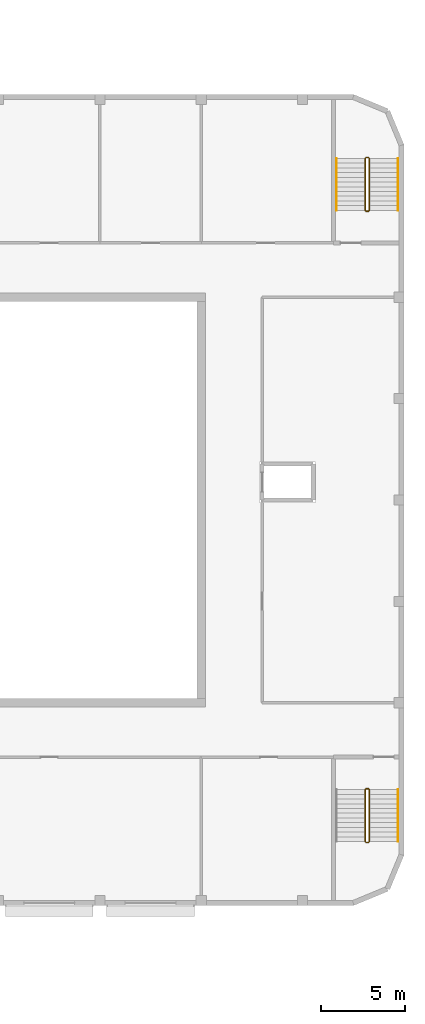
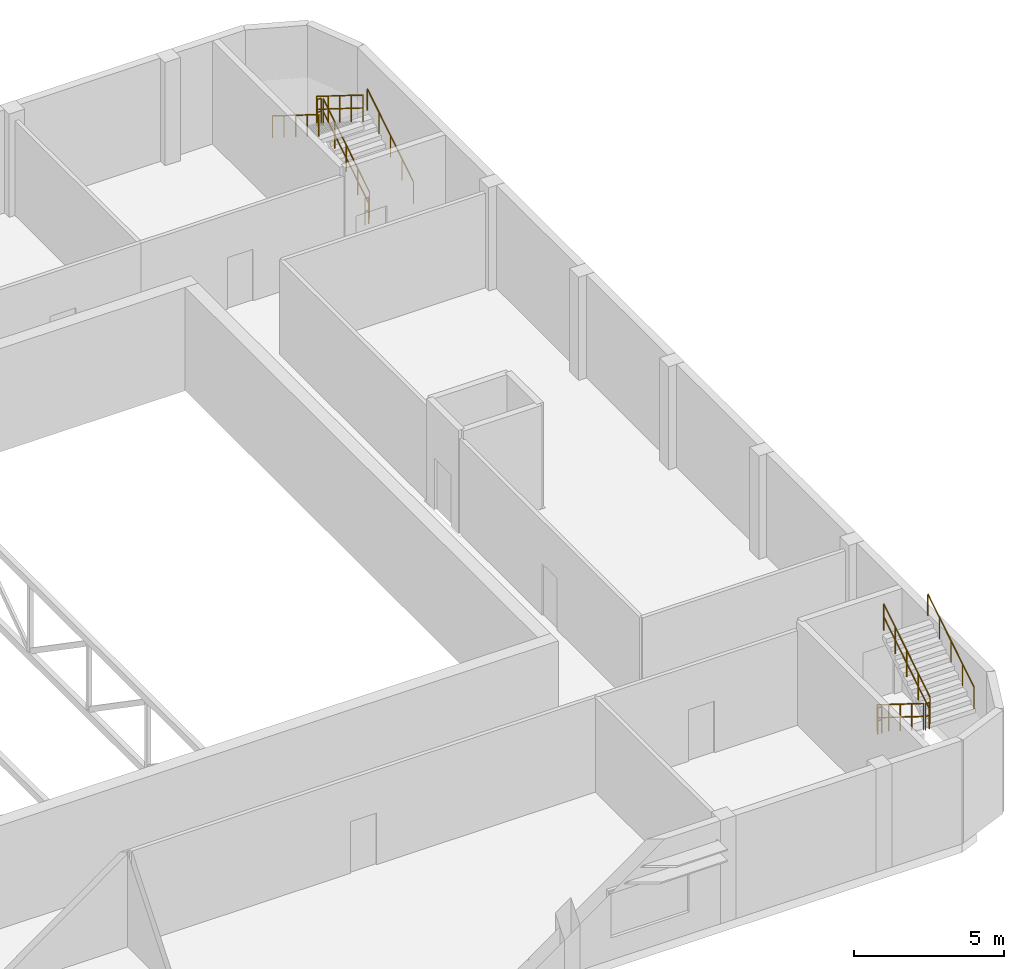
# One storey, part 47 of 47: 11 railings.
"""IFC4 building model written with IfcOpenShell, lengths in metres."""

from ifc_helpers import new_model, si_unit, direction, frame, origin, origin_2d, place, context, subcontext, project, spatial, circle, extrude, material, type_object, element, save


model = new_model("IFC4")

# Units and contexts
model_context = context("Model", 3, precision=1e-05, world=origin(), true_north=direction((0.0, 1.0)))
body_context = subcontext(model_context, "Body", "Model", "MODEL_VIEW")
ifc_project = project(units=[si_unit("LENGTHUNIT", "METRE"), si_unit("AREAUNIT", "SQUARE_METRE"), si_unit("VOLUMEUNIT", "CUBIC_METRE"), si_unit("PLANEANGLEUNIT", "RADIAN"), si_unit("MASSUNIT", "GRAM", prefix="KILO")], contexts=[model_context])

# Site, building, storey
site_placement = place(None, origin())
site = spatial("IfcSite", under=ifc_project, at=site_placement, CompositionType="ELEMENT")
building_placement = place(site_placement, origin())
building = spatial("IfcBuilding", under=site, at=building_placement, Name="Nakaniwa Court", CompositionType="ELEMENT")
storey_placement = place(building_placement, frame((0.0, 0.0, 15.60009765625)))
storey = spatial("IfcBuildingStorey", under=building, at=storey_placement, Name="L03", CompositionType="ELEMENT", Elevation=15.60009765625)

# Railings
ifc_material_1 = material(Name="Black powder-coated steel flat bar balustrade S275", Category="steel")
railing_type_1 = type_object("IfcRailingType", Name="Hall guard 1100", PredefinedType="GUARDRAIL", material=ifc_material_1)
railing_1_placement = place(storey_placement, frame((215.699951171875, 62.860107421875, 0.1748046875)))
element("IfcRailing", 1, at=railing_1_placement, inside=storey, type_object=railing_type_1, Name="L03 ST-H3 stair guard 1", PredefinedType="GUARDRAIL", context=body_context, shape_type="SweptSolid", body=[
    extrude(circle(Radius=0.02392578125, at=origin_2d()), frame((0.0, 0.0, 1.076171875), z_axis=(0.0, -0.847998304005, 0.529998940003), x_axis=(1.0, 0.0, 0.0)), (0.0, 0.0, 1.0), 3.632080078125),
    extrude(circle(Radius=0.02392578125, at=origin_2d()), frame((0.0, 0.0, 0.550048828125), z_axis=(0.0, -0.847998304005, 0.529998940003), x_axis=(1.0, 0.0, 0.0)), (0.0, 0.0, 1.0), 3.632080078125),
    extrude(circle(Radius=0.02099609375, at=origin_2d()), origin(), (0.0, 0.0, 1.0), 1.052001953125),
    extrude(circle(Radius=0.02099609375, at=origin_2d()), frame((0.0, -0.77001953125, 0.481201171875)), (0.0, 0.0, 1.0), 1.052001953125),
    extrude(circle(Radius=0.02099609375, at=origin_2d()), frame((0.0, -1.5400390625, 0.96240234375)), (0.0, 0.0, 1.0), 1.052001953125),
    extrude(circle(Radius=0.02099609375, at=origin_2d()), frame((0.0, -2.31005859375, 1.44384765625)), (0.0, 0.0, 1.0), 1.052001953125),
    extrude(circle(Radius=0.02099609375, at=origin_2d()), frame((0.0, -3.080078125, 1.925048828125)), (0.0, 0.0, 1.0), 1.052001953125),
])
railing_2_placement = place(storey_placement, frame((215.75, 59.72998046875, 2.099853515625)))
element("IfcRailing", 2, at=railing_2_placement, inside=storey, type_object=railing_type_1, Name="L03 ST-H3 stair guard 2", PredefinedType="GUARDRAIL", context=body_context, shape_type="SweptSolid", body=[
    extrude(circle(Radius=0.02392578125, at=origin_2d()), frame((0.0, 0.0, 1.076171875), z_axis=(1.0, 0.0, 0.0), x_axis=(0.0, 1.0, 0.0)), (0.0, 0.0, 1.0), 0.14990234375),
    extrude(circle(Radius=0.02392578125, at=origin_2d()), frame((0.0, 0.0, 0.550048828125), z_axis=(1.0, 0.0, 0.0), x_axis=(0.0, 1.0, 0.0)), (0.0, 0.0, 1.0), 0.14990234375),
    extrude(circle(Radius=0.02099609375, at=origin_2d()), origin(), (0.0, 0.0, 1.0), 1.052001953125),
    extrude(circle(Radius=0.02099609375, at=origin_2d()), frame((0.14990234375, 0.0, 0.0)), (0.0, 0.0, 1.0), 1.052001953125),
])
railing_3_placement = place(storey_placement, frame((215.949951171875, 59.780029296875, 2.27490234375)))
element("IfcRailing", 3, at=railing_3_placement, inside=storey, type_object=railing_type_1, Name="L03 ST-H3 stair guard 3", PredefinedType="GUARDRAIL", context=body_context, shape_type="SweptSolid", body=[
    extrude(circle(Radius=0.02392578125, at=origin_2d()), frame((0.0, 0.0, 1.076171875), z_axis=(0.0, 0.847998304005, 0.529998940003), x_axis=(-1.0, 0.0, 0.0)), (0.0, 0.0, 1.0), 3.632080078125),
    extrude(circle(Radius=0.02392578125, at=origin_2d()), frame((0.0, 0.0, 0.550048828125), z_axis=(0.0, 0.847998304005, 0.529998940003), x_axis=(-1.0, 0.0, 0.0)), (0.0, 0.0, 1.0), 3.632080078125),
    extrude(circle(Radius=0.02099609375, at=origin_2d()), origin(), (0.0, 0.0, 1.0), 1.052001953125),
    extrude(circle(Radius=0.02099609375, at=origin_2d()), frame((0.0, 0.77001953125, 0.481201171875)), (0.0, 0.0, 1.0), 1.052001953125),
    extrude(circle(Radius=0.02099609375, at=origin_2d()), frame((0.0, 1.5400390625, 0.96240234375)), (0.0, 0.0, 1.0), 1.052001953125),
    extrude(circle(Radius=0.02099609375, at=origin_2d()), frame((0.0, 2.31005859375, 1.44384765625)), (0.0, 0.0, 1.0), 1.052001953125),
    extrude(circle(Radius=0.02099609375, at=origin_2d()), frame((0.0, 3.080078125, 1.925048828125)), (0.0, 0.0, 1.0), 1.052001953125),
])
railing_4_placement = place(storey_placement, frame((215.75, 62.909912109375, 0.0)))
element("IfcRailing", 4, at=railing_4_placement, inside=storey, type_object=railing_type_1, Name="L03 ST-H3 stair guard 4", PredefinedType="GUARDRAIL", context=body_context, shape_type="SweptSolid", body=[
    extrude(circle(Radius=0.02392578125, at=origin_2d()), frame((0.0, 0.0, 1.076171875), z_axis=(1.0, 0.0, 0.0), x_axis=(0.0, 1.0, 0.0)), (0.0, 0.0, 1.0), 0.14990234375),
    extrude(circle(Radius=0.02392578125, at=origin_2d()), frame((0.0, 0.0, 0.550048828125), z_axis=(1.0, 0.0, 0.0), x_axis=(0.0, 1.0, 0.0)), (0.0, 0.0, 1.0), 0.14990234375),
    extrude(circle(Radius=0.02099609375, at=origin_2d()), origin(), (0.0, 0.0, 1.0), 1.052001953125),
    extrude(circle(Radius=0.02099609375, at=origin_2d()), frame((0.14990234375, 0.0, 0.0)), (0.0, 0.0, 1.0), 1.052001953125),
])
railing_5_placement = place(storey_placement, frame((215.949951171875, 97.139892578125, 0.1748046875)))
element("IfcRailing", 5, at=railing_5_placement, inside=storey, type_object=railing_type_1, Name="L03 ST-H4 stair guard 1", PredefinedType="GUARDRAIL", context=body_context, shape_type="SweptSolid", body=[
    extrude(circle(Radius=0.02392578125, at=origin_2d()), frame((0.0, 0.0, 1.076171875), z_axis=(0.0, 0.847998304005, 0.529998940003), x_axis=(-1.0, 0.0, 0.0)), (0.0, 0.0, 1.0), 3.632080078125),
    extrude(circle(Radius=0.02392578125, at=origin_2d()), frame((0.0, 0.0, 0.550048828125), z_axis=(0.0, 0.847998304005, 0.529998940003), x_axis=(-1.0, 0.0, 0.0)), (0.0, 0.0, 1.0), 3.632080078125),
    extrude(circle(Radius=0.02099609375, at=origin_2d()), origin(), (0.0, 0.0, 1.0), 1.052001953125),
    extrude(circle(Radius=0.02099609375, at=origin_2d()), frame((0.0, 0.77001953125, 0.481201171875)), (0.0, 0.0, 1.0), 1.052001953125),
    extrude(circle(Radius=0.02099609375, at=origin_2d()), frame((0.0, 1.5400390625, 0.96240234375)), (0.0, 0.0, 1.0), 1.052001953125),
    extrude(circle(Radius=0.02099609375, at=origin_2d()), frame((0.0, 2.31005859375, 1.44384765625)), (0.0, 0.0, 1.0), 1.052001953125),
    extrude(circle(Radius=0.02099609375, at=origin_2d()), frame((0.0, 3.080078125, 1.925048828125)), (0.0, 0.0, 1.0), 1.052001953125),
])
railing_6_placement = place(storey_placement, frame((215.89990234375, 100.27001953125, 2.099853515625)))
element("IfcRailing", 6, at=railing_6_placement, inside=storey, type_object=railing_type_1, Name="L03 ST-H4 stair guard 2", PredefinedType="GUARDRAIL", context=body_context, shape_type="SweptSolid", body=[
    extrude(circle(Radius=0.02392578125, at=origin_2d()), frame((0.0, 0.0, 1.076171875), z_axis=(-1.0, 0.0, 0.0), x_axis=(0.0, -1.0, 0.0)), (0.0, 0.0, 1.0), 0.14990234375),
    extrude(circle(Radius=0.02392578125, at=origin_2d()), frame((0.0, 0.0, 0.550048828125), z_axis=(-1.0, 0.0, 0.0), x_axis=(0.0, -1.0, 0.0)), (0.0, 0.0, 1.0), 0.14990234375),
    extrude(circle(Radius=0.02099609375, at=origin_2d()), origin(), (0.0, 0.0, 1.0), 1.052001953125),
    extrude(circle(Radius=0.02099609375, at=origin_2d()), frame((-0.14990234375, 0.0, 0.0)), (0.0, 0.0, 1.0), 1.052001953125),
])
railing_7_placement = place(storey_placement, frame((215.699951171875, 100.219970703125, 2.27490234375)))
element("IfcRailing", 7, at=railing_7_placement, inside=storey, type_object=railing_type_1, Name="L03 ST-H4 stair guard 3", PredefinedType="GUARDRAIL", context=body_context, shape_type="SweptSolid", body=[
    extrude(circle(Radius=0.02392578125, at=origin_2d()), frame((0.0, 0.0, 1.076171875), z_axis=(0.0, -0.847998304005, 0.529998940003), x_axis=(1.0, 0.0, 0.0)), (0.0, 0.0, 1.0), 3.632080078125),
    extrude(circle(Radius=0.02392578125, at=origin_2d()), frame((0.0, 0.0, 0.550048828125), z_axis=(0.0, -0.847998304005, 0.529998940003), x_axis=(1.0, 0.0, 0.0)), (0.0, 0.0, 1.0), 3.632080078125),
    extrude(circle(Radius=0.02099609375, at=origin_2d()), origin(), (0.0, 0.0, 1.0), 1.052001953125),
    extrude(circle(Radius=0.02099609375, at=origin_2d()), frame((0.0, -0.77001953125, 0.481201171875)), (0.0, 0.0, 1.0), 1.052001953125),
    extrude(circle(Radius=0.02099609375, at=origin_2d()), frame((0.0, -1.5400390625, 0.96240234375)), (0.0, 0.0, 1.0), 1.052001953125),
    extrude(circle(Radius=0.02099609375, at=origin_2d()), frame((0.0, -2.31005859375, 1.44384765625)), (0.0, 0.0, 1.0), 1.052001953125),
    extrude(circle(Radius=0.02099609375, at=origin_2d()), frame((0.0, -3.080078125, 1.925048828125)), (0.0, 0.0, 1.0), 1.052001953125),
])
railing_8_placement = place(storey_placement, frame((215.89990234375, 97.090087890625, 0.0)))
element("IfcRailing", 8, at=railing_8_placement, inside=storey, type_object=railing_type_1, Name="L03 ST-H4 stair guard 4", PredefinedType="GUARDRAIL", context=body_context, shape_type="SweptSolid", body=[
    extrude(circle(Radius=0.02392578125, at=origin_2d()), frame((0.0, 0.0, 1.076171875), z_axis=(-1.0, 0.0, 0.0), x_axis=(0.0, -1.0, 0.0)), (0.0, 0.0, 1.0), 0.14990234375),
    extrude(circle(Radius=0.02392578125, at=origin_2d()), frame((0.0, 0.0, 0.550048828125), z_axis=(-1.0, 0.0, 0.0), x_axis=(0.0, -1.0, 0.0)), (0.0, 0.0, 1.0), 0.14990234375),
    extrude(circle(Radius=0.02099609375, at=origin_2d()), origin(), (0.0, 0.0, 1.0), 1.052001953125),
    extrude(circle(Radius=0.02099609375, at=origin_2d()), frame((-0.14990234375, 0.0, 0.0)), (0.0, 0.0, 1.0), 1.052001953125),
])
ifc_material_2 = material(Name="Brushed stainless steel handrail Grade 304", Category="steel")
railing_type_2 = type_object("IfcRailingType", Name="Hall stair handrail 900", PredefinedType="HANDRAIL", material=ifc_material_2)
for number, where, name in (
    (9, (217.64990234375, 59.780029296875, 2.27490234375), "L03 ST-H3 stair handrail 2"),
    (10, (217.64990234375, 97.139892578125, 0.1748046875), "L03 ST-H4 stair handrail 1"),
):
    element("IfcRailing", number, at=place(storey_placement, frame(where)), inside=storey, type_object=railing_type_2, Name=name, PredefinedType="HANDRAIL", context=body_context, shape_type="SweptSolid", body=[
        extrude(circle(Radius=0.02392578125, at=origin_2d()), frame((0.0, 0.0, 0.8759765625), z_axis=(0.0, 0.847998304005, 0.529998940003), x_axis=(-1.0, 0.0, 0.0)), (0.0, 0.0, 1.0), 3.632080078125),
        extrude(circle(Radius=0.02099609375, at=origin_2d()), origin(), (0.0, 0.0, 1.0), 0.851806640625),
        extrude(circle(Radius=0.02099609375, at=origin_2d()), frame((0.0, 0.77001953125, 0.481201171875)), (0.0, 0.0, 1.0), 0.851806640625),
        extrude(circle(Radius=0.02099609375, at=origin_2d()), frame((0.0, 1.5400390625, 0.96240234375)), (0.0, 0.0, 1.0), 0.851806640625),
        extrude(circle(Radius=0.02099609375, at=origin_2d()), frame((0.0, 2.31005859375, 1.44384765625)), (0.0, 0.0, 1.0), 0.851806640625),
        extrude(circle(Radius=0.02099609375, at=origin_2d()), frame((0.0, 3.080078125, 1.925048828125)), (0.0, 0.0, 1.0), 0.851806640625),
    ])
railing_9_placement = place(storey_placement, frame((214.0, 100.219970703125, 2.27490234375)))
element("IfcRailing", 11, at=railing_9_placement, inside=storey, type_object=railing_type_2, Name="L03 ST-H4 stair handrail 2", PredefinedType="HANDRAIL", context=body_context, shape_type="SweptSolid", body=[
    extrude(circle(Radius=0.02392578125, at=origin_2d()), frame((0.0, 0.0, 0.8759765625), z_axis=(0.0, -0.847998304005, 0.529998940003), x_axis=(1.0, 0.0, 0.0)), (0.0, 0.0, 1.0), 3.632080078125),
    extrude(circle(Radius=0.02099609375, at=origin_2d()), origin(), (0.0, 0.0, 1.0), 0.851806640625),
    extrude(circle(Radius=0.02099609375, at=origin_2d()), frame((0.0, -0.77001953125, 0.481201171875)), (0.0, 0.0, 1.0), 0.851806640625),
    extrude(circle(Radius=0.02099609375, at=origin_2d()), frame((0.0, -1.5400390625, 0.96240234375)), (0.0, 0.0, 1.0), 0.851806640625),
    extrude(circle(Radius=0.02099609375, at=origin_2d()), frame((0.0, -2.31005859375, 1.44384765625)), (0.0, 0.0, 1.0), 0.851806640625),
    extrude(circle(Radius=0.02099609375, at=origin_2d()), frame((0.0, -3.080078125, 1.925048828125)), (0.0, 0.0, 1.0), 0.851806640625),
])

save(model, "model.ifc")
